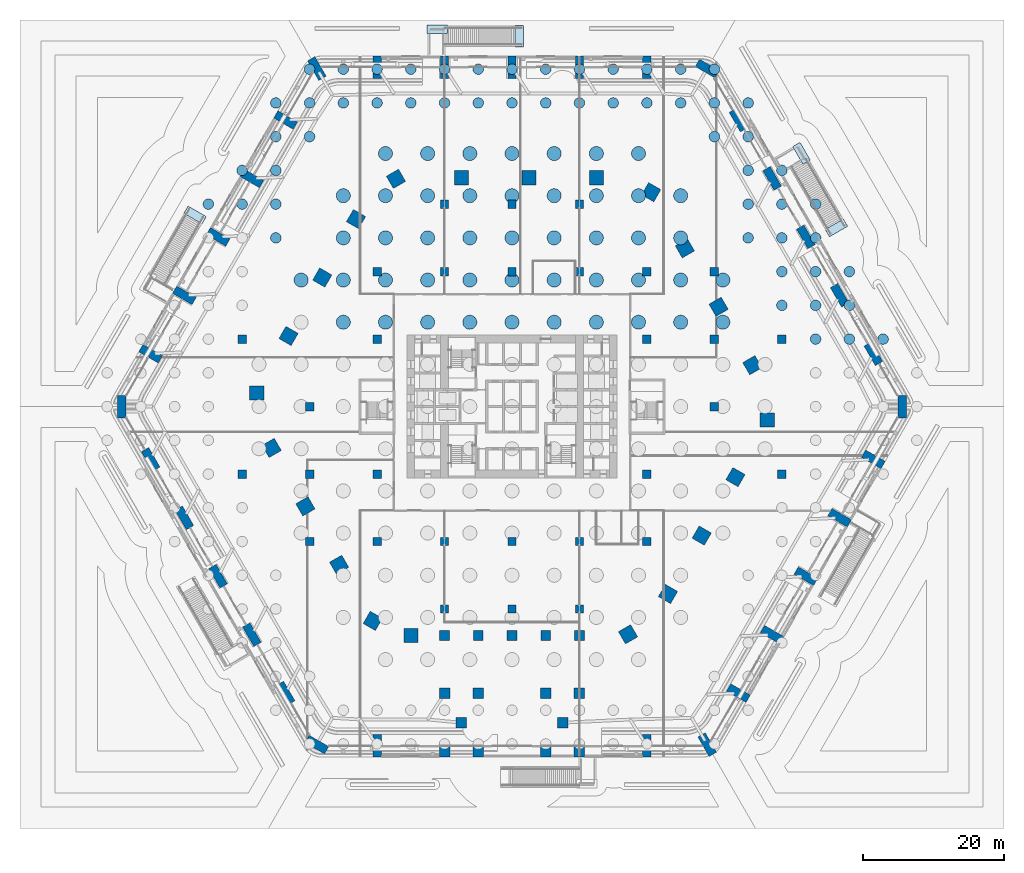
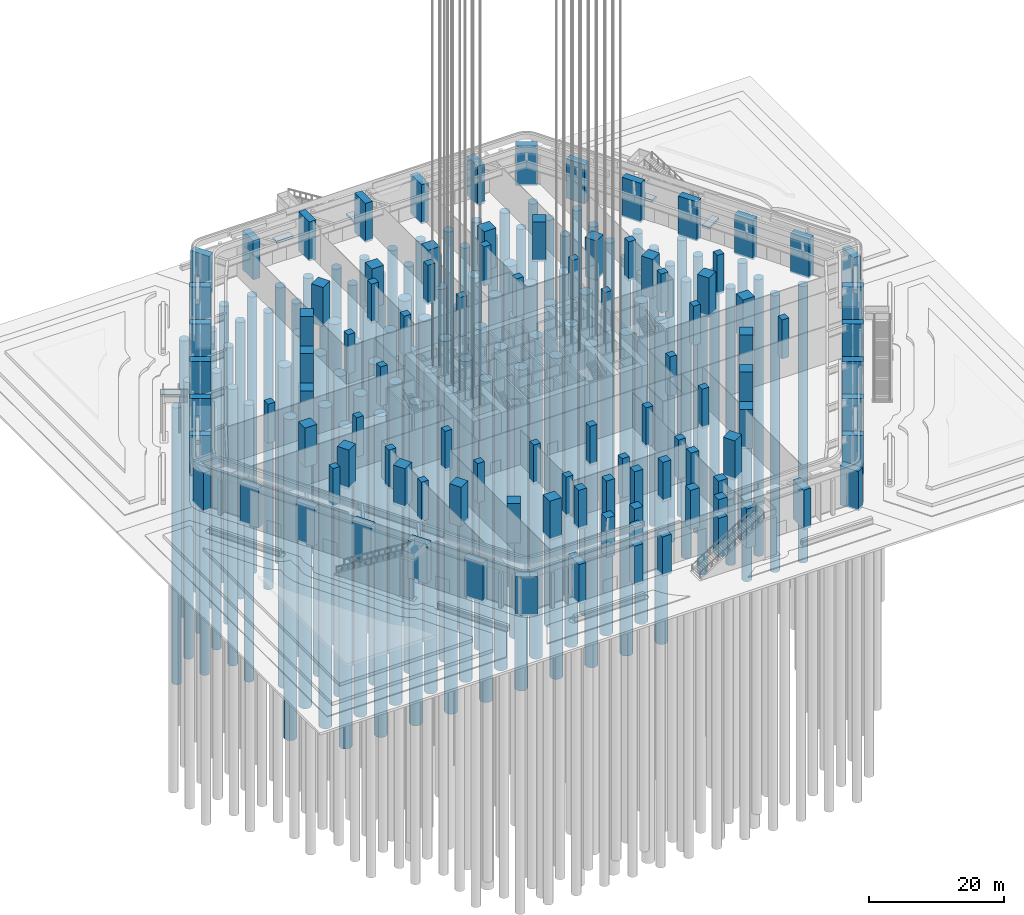
# One storey, part 2 of 68: 101 piles, 100 columns, 5 footings.
"""IFC4 building model written with IfcOpenShell, lengths in metres."""

from ifc_helpers import new_model, si_unit, direction, frame, origin, origin_2d, place, context, subcontext, project, spatial, polyline, rectangle, circle, outline, extrude, material, layer, layer_set, material_profile, profile_set, type_object, element, save


model = new_model("IFC4")

# Units and contexts
model_context = context("Model", 3, precision=1e-05, world=origin(), true_north=direction((0.0, 1.0)))
body_context = subcontext(model_context, "Body", "Model", "MODEL_VIEW")
ifc_project = project(units=[si_unit("LENGTHUNIT", "METRE"), si_unit("AREAUNIT", "SQUARE_METRE"), si_unit("VOLUMEUNIT", "CUBIC_METRE"), si_unit("PLANEANGLEUNIT", "RADIAN"), si_unit("MASSUNIT", "GRAM", prefix="KILO")], contexts=[model_context])

# Site, building, storey
site_placement = place(None, origin())
site = spatial("IfcSite", under=ifc_project, at=site_placement, CompositionType="ELEMENT")
building_placement = place(site_placement, origin())
building = spatial("IfcBuilding", under=site, at=building_placement, Name="Kolab Exchange Tower", CompositionType="ELEMENT")
storey_placement = place(building_placement, origin())
storey = spatial("IfcBuildingStorey", under=building, at=storey_placement, Name="L00", CompositionType="ELEMENT", Elevation=0.0)

# Piles
ifc_material_1 = material(Name="Concrete C35/45", Category="concrete")
ifc_material_profile_1 = material_profile(ifc_material_1, circle(Radius=0.75, at=origin_2d()), Name="BP1500")
ifc_profile_set_1 = profile_set([ifc_material_profile_1], Name="Concrete C35/45")
pile_type_1 = type_object("IfcPileType", Name="BORED PILE 1500", PredefinedType="BORED", material=ifc_profile_set_1)
for number, where, z_axis, x_axis, name in (
    (1, (-43.199951171875, 28.800048828125, -4.0), (0.0, 0.0, -1.0), (1.0, 0.0, 0.0), "pile/raft/P029"),
    (2, (-38.39990234375, 28.800048828125, -4.0), (0.0, 0.0, -1.0), (1.0, 0.0, 0.0), "pile/raft/P038"),
    (3, (-38.39990234375, 33.60009765625, -4.0), (0.0, 0.0, -1.0), (1.0, 0.0, 0.0), "pile/raft/P039"),
    (4, (-33.60009765625, 24.0, -4.0), (0.0, 0.0, -1.0), (1.0, 0.0, 0.0), "pile/raft/P045"),
    (5, (-33.60009765625, 28.800048828125, -4.0), (0.0, 0.0, -1.0), (1.0, 0.0, 0.0), "pile/raft/P046"),
    (6, (-33.60009765625, 33.60009765625, -4.0), (0.0, 0.0, -1.0), (1.0, 0.0, 0.0), "pile/raft/P047"),
    (7, (-33.60009765625, 38.39990234375, -4.0), (0.0, 0.0, -1.0), (1.0, 0.0, 0.0), "pile/raft/P048"),
    (8, (-33.60009765625, 43.199951171875, -4.0), (0.0, 0.0, -1.0), (1.0, 0.0, 0.0), "pile/raft/P049"),
    (9, (-28.800048828125, 38.39990234375, -4.0), (0.0, 0.0, -1.0), (1.0, 0.0, 0.0), "pile/raft/P053"),
    (10, (-28.800048828125, 43.199951171875, -4.0), (0.0, 0.0, -1.0), (1.0, 0.0, 0.0), "pile/raft/P054"),
    (11, (-28.800048828125, 48.0, -4.0), (0.0, 0.0, -1.0), (1.0, 0.0, 0.0), "pile/raft/P055"),
    (12, (-24.0, 43.199951171875, -4.0), (0.0, 0.0, -1.0), (1.0, 0.0, 0.0), "pile/raft/P058"),
    (13, (-24.0, 48.0, -4.0), (0.0, 0.0, -1.0), (1.0, 0.0, 0.0), "pile/raft/P059"),
    (14, (-19.199951171875, 43.199951171875, -4.0), (0.0, 0.0, -1.0), (1.0, 0.0, 0.0), "pile/raft/P062"),
    (15, (-19.199951171875, 48.0, -4.0), (0.0, 0.0, -1.0), (1.0, 0.0, 0.0), "pile/raft/P063"),
    (16, (-14.39990234375, 43.199951171875, -4.0), (0.0, 0.0, -1.0), (1.0, 0.0, 0.0), "pile/raft/P066"),
    (17, (-14.39990234375, 48.0, -4.0), (0.0, 0.0, -1.0), (1.0, 0.0, 0.0), "pile/raft/P067"),
    (18, (-9.60009765625, 43.199951171875, -4.0), (0.0, 0.0, -1.0), (1.0, 0.0, 0.0), "pile/raft/P070"),
    (19, (-9.60009765625, 48.0, -4.0), (0.0, 0.0, -1.0), (1.0, 0.0, 0.0), "pile/raft/P071"),
    (20, (-4.800048828125, 43.199951171875, -4.0), (0.0, 0.0, -1.0), (1.0, 0.0, 0.0), "pile/raft/P074"),
    (21, (-4.800048828125, 48.0, -4.0), (0.0, 0.0, -1.0), (1.0, 0.0, 0.0), "pile/raft/P075"),
    (22, (0.0, 43.199951171875, -4.0), (0.0, 0.0, -1.0), (1.0, 0.0, 0.0), "pile/raft/P078"),
    (23, (0.0, 48.0, -4.0), (0.0, 0.0, -1.0), (1.0, 0.0, 0.0), "pile/raft/P079"),
    (24, (4.800048828125, 43.199951171875, -4.0), (0.0, 0.0, -1.0), (1.0, 0.0, 0.0), "pile/raft/P082"),
    (25, (4.800048828125, 48.0, -4.0), (0.0, 0.0, -1.0), (1.0, 0.0, 0.0), "pile/raft/P083"),
    (26, (9.60009765625, 43.199951171875, -4.0), (0.0, 0.0, -1.0), (1.0, 0.0, 0.0), "pile/raft/P086"),
    (27, (9.60009765625, 48.0, -4.0), (0.0, 0.0, -1.0), (1.0, 0.0, 0.0), "pile/raft/P087"),
    (28, (14.39990234375, 43.199951171875, -4.0), (0.0, 0.0, -1.0), (1.0, 0.0, 0.0), "pile/raft/P090"),
    (29, (14.39990234375, 48.0, -4.0), (0.0, 0.0, -1.0), (1.0, 0.0, 0.0), "pile/raft/P091"),
    (30, (19.199951171875, 43.199951171875, -4.0), (0.0, 0.0, -1.0), (1.0, 0.0, 0.0), "pile/raft/P094"),
    (31, (19.199951171875, 48.0, -4.0), (0.0, 0.0, -1.0), (1.0, 0.0, 0.0), "pile/raft/P095"),
    (32, (24.0, 43.199951171875, -4.0), (0.0, 0.0, -1.0), (1.0, 0.0, 0.0), "pile/raft/P098"),
    (33, (24.0, 48.0, -4.0), (0.0, 0.0, -1.0), (1.0, 0.0, 0.0), "pile/raft/P099"),
    (34, (28.800048828125, 38.39990234375, -4.0), (0.0, 0.0, -1.0), (1.0, 0.0, 0.0), "pile/raft/P103"),
    (35, (28.800048828125, 43.199951171875, -4.0), (0.0, 0.0, -1.0), (1.0, 0.0, 0.0), "pile/raft/P104"),
    (36, (28.800048828125, 48.0, -4.0), (0.0, 0.0, -1.0), (1.0, 0.0, 0.0), "pile/raft/P105"),
    (37, (33.60009765625, 24.0, -4.0), (0.0, 0.0, -1.0), (1.0, 0.0, 0.0), "pile/raft/P111"),
    (38, (33.60009765625, 28.800048828125, -4.0), (0.0, 0.0, -1.0), (1.0, 0.0, 0.0), "pile/raft/P112"),
    (39, (33.60009765625, 33.60009765625, -4.0), (0.0, 0.0, -1.0), (1.0, 0.0, 0.0), "pile/raft/P113"),
    (40, (33.60009765625, 38.39990234375, -4.0), (0.0, 0.0, -1.0), (1.0, 0.0, 0.0), "pile/raft/P114"),
    (41, (33.60009765625, 43.199951171875, -4.0), (0.0, 0.0, -1.0), (1.0, 0.0, 0.0), "pile/raft/P115"),
    (42, (38.39990234375, 14.39990234375, -4.0), (0.0, 0.0, -1.0), (1.0, 0.0, 0.0), "pile/raft/P121"),
    (43, (38.39990234375, 19.199951171875, -4.0), (0.0, 0.0, -1.0), (1.0, 0.0, 0.0), "pile/raft/P122"),
    (44, (38.39990234375, 24.0, -4.0), (0.0, 0.0, -1.0), (1.0, 0.0, 0.0), "pile/raft/P123"),
    (45, (38.39990234375, 28.800048828125, -4.0), (0.0, 0.0, -1.0), (1.0, 0.0, 0.0), "pile/raft/P124"),
    (46, (38.39990234375, 33.60009765625, -4.0), (0.0, 0.0, -1.0), (1.0, 0.0, 0.0), "pile/raft/P125"),
    (47, (43.199951171875, 9.60009765625, -4.0), (0.0, 0.0, -1.0), (1.0, 0.0, 0.0), "pile/raft/P134"),
    (48, (43.199951171875, 14.39990234375, -4.0), (0.0, 0.0, -1.0), (1.0, 0.0, 0.0), "pile/raft/P135"),
    (49, (43.199951171875, 19.199951171875, -4.0), (0.0, 0.0, -1.0), (1.0, 0.0, 0.0), "pile/raft/P136"),
    (50, (43.199951171875, 24.0, -4.0), (0.0, 0.0, -1.0), (1.0, 0.0, 0.0), "pile/raft/P137"),
    (51, (43.199951171875, 28.800048828125, -4.0), (0.0, 0.0, -1.0), (1.0, 0.0, 0.0), "pile/raft/P138"),
    (52, (48.0, 9.60009765625, -4.0), (0.0, 0.0, -1.0), (1.0, 0.0, 0.0), "pile/raft/P145"),
    (53, (48.0, 14.39990234375, -4.0), (0.0, 0.0, -1.0), (1.0, 0.0, 0.0), "pile/raft/P146"),
    (54, (48.0, 19.199951171875, -4.0), (0.0, 0.0, -1.0), (1.0, 0.0, 0.0), "pile/raft/P147"),
    (55, (52.800048828125, 9.60009765625, -4.0), (0.0, 0.0, -1.0), (1.0, 0.0, 0.0), "pile/raft/P152"),
):
    element("IfcPile", number, at=place(storey_placement, frame(where, z_axis=z_axis, x_axis=x_axis)), inside=storey, type_object=pile_type_1, Name=name, PredefinedType="BORED", context=body_context, shape_type="SweptSolid", body=[
        extrude(circle(Radius=0.75, at=origin_2d()), origin(), (0.0, 0.0, 1.0), 50.0),
    ])
ifc_material_profile_2 = material_profile(ifc_material_1, circle(Radius=1.0, at=origin_2d()), Name="BP2000")
ifc_profile_set_2 = profile_set([ifc_material_profile_2], Name="Concrete C35/45")
pile_type_2 = type_object("IfcPileType", Name="BORED PILE 2000", PredefinedType="BORED", material=ifc_profile_set_2)
for number, where, z_axis, x_axis, name in (
    (56, (-30.0, 18.0, -4.0), (0.0, 0.0, -1.0), (1.0, 0.0, 0.0), "pile/raft/T009"),
    (57, (-24.0, 12.0, -4.0), (0.0, 0.0, -1.0), (1.0, 0.0, 0.0), "pile/raft/T017"),
    (58, (-24.0, 18.0, -4.0), (0.0, 0.0, -1.0), (1.0, 0.0, 0.0), "pile/raft/T018"),
    (59, (-24.0, 24.0, -4.0), (0.0, 0.0, -1.0), (1.0, 0.0, 0.0), "pile/raft/T019"),
    (60, (-24.0, 30.0, -4.0), (0.0, 0.0, -1.0), (1.0, 0.0, 0.0), "pile/raft/T020"),
    (61, (-18.0, 12.0, -4.0), (0.0, 0.0, -1.0), (1.0, 0.0, 0.0), "pile/raft/T029"),
    (62, (-18.0, 18.0, -4.0), (0.0, 0.0, -1.0), (1.0, 0.0, 0.0), "pile/raft/T030"),
    (63, (-18.0, 24.0, -4.0), (0.0, 0.0, -1.0), (1.0, 0.0, 0.0), "pile/raft/T031"),
    (64, (-18.0, 30.0, -4.0), (0.0, 0.0, -1.0), (1.0, 0.0, 0.0), "pile/raft/T032"),
    (65, (-18.0, 36.0, -4.0), (0.0, 0.0, -1.0), (1.0, 0.0, 0.0), "pile/raft/T033"),
    (66, (-12.0, 12.0, -4.0), (0.0, 0.0, -1.0), (1.0, 0.0, 0.0), "pile/raft/T042"),
    (67, (-12.0, 18.0, -4.0), (0.0, 0.0, -1.0), (1.0, 0.0, 0.0), "pile/raft/T043"),
    (68, (-12.0, 24.0, -4.0), (0.0, 0.0, -1.0), (1.0, 0.0, 0.0), "pile/raft/T044"),
    (69, (-12.0, 30.0, -4.0), (0.0, 0.0, -1.0), (1.0, 0.0, 0.0), "pile/raft/T045"),
    (70, (-12.0, 36.0, -4.0), (0.0, 0.0, -1.0), (1.0, 0.0, 0.0), "pile/raft/T046"),
    (71, (-6.0, 12.0, -4.0), (0.0, 0.0, -1.0), (1.0, 0.0, 0.0), "pile/raft/T055"),
    (72, (-6.0, 18.0, -4.0), (0.0, 0.0, -1.0), (1.0, 0.0, 0.0), "pile/raft/T056"),
    (73, (-6.0, 24.0, -4.0), (0.0, 0.0, -1.0), (1.0, 0.0, 0.0), "pile/raft/T057"),
    (74, (-6.0, 30.0, -4.0), (0.0, 0.0, -1.0), (1.0, 0.0, 0.0), "pile/raft/T058"),
    (75, (-6.0, 36.0, -4.0), (0.0, 0.0, -1.0), (1.0, 0.0, 0.0), "pile/raft/T059"),
    (76, (0.0, 12.0, -4.0), (0.0, 0.0, -1.0), (1.0, 0.0, 0.0), "pile/raft/T068"),
    (77, (0.0, 18.0, -4.0), (0.0, 0.0, -1.0), (1.0, 0.0, 0.0), "pile/raft/T069"),
    (78, (0.0, 24.0, -4.0), (0.0, 0.0, -1.0), (1.0, 0.0, 0.0), "pile/raft/T070"),
    (79, (0.0, 30.0, -4.0), (0.0, 0.0, -1.0), (1.0, 0.0, 0.0), "pile/raft/T071"),
    (80, (0.0, 36.0, -4.0), (0.0, 0.0, -1.0), (1.0, 0.0, 0.0), "pile/raft/T072"),
    (81, (6.0, 12.0, -4.0), (0.0, 0.0, -1.0), (1.0, 0.0, 0.0), "pile/raft/T081"),
    (82, (6.0, 18.0, -4.0), (0.0, 0.0, -1.0), (1.0, 0.0, 0.0), "pile/raft/T082"),
    (83, (6.0, 24.0, -4.0), (0.0, 0.0, -1.0), (1.0, 0.0, 0.0), "pile/raft/T083"),
    (84, (6.0, 30.0, -4.0), (0.0, 0.0, -1.0), (1.0, 0.0, 0.0), "pile/raft/T084"),
    (85, (6.0, 36.0, -4.0), (0.0, 0.0, -1.0), (1.0, 0.0, 0.0), "pile/raft/T085"),
    (86, (12.0, 12.0, -4.0), (0.0, 0.0, -1.0), (1.0, 0.0, 0.0), "pile/raft/T094"),
    (87, (12.0, 18.0, -4.0), (0.0, 0.0, -1.0), (1.0, 0.0, 0.0), "pile/raft/T095"),
    (88, (12.0, 24.0, -4.0), (0.0, 0.0, -1.0), (1.0, 0.0, 0.0), "pile/raft/T096"),
    (89, (12.0, 30.0, -4.0), (0.0, 0.0, -1.0), (1.0, 0.0, 0.0), "pile/raft/T097"),
    (90, (12.0, 36.0, -4.0), (0.0, 0.0, -1.0), (1.0, 0.0, 0.0), "pile/raft/T098"),
    (91, (18.0, 12.0, -4.0), (0.0, 0.0, -1.0), (1.0, 0.0, 0.0), "pile/raft/T107"),
    (92, (18.0, 18.0, -4.0), (0.0, 0.0, -1.0), (1.0, 0.0, 0.0), "pile/raft/T108"),
    (93, (18.0, 24.0, -4.0), (0.0, 0.0, -1.0), (1.0, 0.0, 0.0), "pile/raft/T109"),
    (94, (18.0, 30.0, -4.0), (0.0, 0.0, -1.0), (1.0, 0.0, 0.0), "pile/raft/T110"),
    (95, (18.0, 36.0, -4.0), (0.0, 0.0, -1.0), (1.0, 0.0, 0.0), "pile/raft/T111"),
    (96, (24.0, 12.0, -4.0), (0.0, 0.0, -1.0), (1.0, 0.0, 0.0), "pile/raft/T119"),
    (97, (24.0, 18.0, -4.0), (0.0, 0.0, -1.0), (1.0, 0.0, 0.0), "pile/raft/T120"),
    (98, (24.0, 24.0, -4.0), (0.0, 0.0, -1.0), (1.0, 0.0, 0.0), "pile/raft/T121"),
    (99, (24.0, 30.0, -4.0), (0.0, 0.0, -1.0), (1.0, 0.0, 0.0), "pile/raft/T122"),
    (100, (30.0, 12.0, -4.0), (0.0, 0.0, -1.0), (1.0, 0.0, 0.0), "pile/raft/T128"),
    (101, (30.0, 18.0, -4.0), (0.0, 0.0, -1.0), (1.0, 0.0, 0.0), "pile/raft/T129"),
):
    element("IfcPile", number, at=place(storey_placement, frame(where, z_axis=z_axis, x_axis=x_axis)), inside=storey, type_object=pile_type_2, Name=name, PredefinedType="BORED", context=body_context, shape_type="SweptSolid", body=[
        extrude(circle(Radius=1.0, at=origin_2d()), origin(), (0.0, 0.0, 1.0), 58.0),
    ])

# Footings
ifc_layer = layer(ifc_material_1, 0.39990234375)
ifc_layer_set = layer_set([ifc_layer], Name="Concrete C35/45")
footing_type = type_object("IfcFootingType", Name="STAIR PIER PAD FOOTING 400", PredefinedType="PAD_FOOTING", material=ifc_layer_set)
footing_1_placement = place(storey_placement, frame((0.0, 0.0, -0.39990234375)))
element("IfcFooting", 102, at=footing_1_placement, inside=storey, type_object=footing_type, Name="footing/pad/GS1-C", PredefinedType="PAD_FOOTING", context=body_context, shape_type="SweptSolid", body=[
    extrude(outline(polyline([(-12.06005859375, 54.282958984375), (-12.06005859375, 53.0830078125), (-9.159912109375, 53.0830078125), (-9.159912109375, 54.282958984375), (-12.06005859375, 54.282958984375)])), origin(), (0.0, 0.0, 1.0), 0.39990234375),
])
footing_2_placement = place(storey_placement, frame((0.0, 0.0, -0.39990234375)))
element("IfcFooting", 103, at=footing_2_placement, inside=storey, type_object=footing_type, Name="footing/pad/GS1-C-foot", PredefinedType="PAD_FOOTING", context=body_context, shape_type="SweptSolid", body=[
    extrude(outline(polyline([(0.4599609375, 51.18310546875), (1.659912109375, 51.18310546875), (1.659912109375, 54.18310546875), (0.4599609375, 54.18310546875), (0.4599609375, 51.18310546875)])), origin(), (0.0, 0.0, 1.0), 0.39990234375),
])
footing_3_placement = place(storey_placement, frame((0.0, 0.0, -0.39990234375)))
element("IfcFooting", 104, at=footing_3_placement, inside=storey, type_object=footing_type, Name="footing/pad/GS2-C", PredefinedType="PAD_FOOTING", context=body_context, shape_type="SweptSolid", body=[
    extrude(outline(polyline([(40.98046875, 37.585693359375), (39.941162109375, 36.98583984375), (41.391357421875, 34.474365234375), (42.430419921875, 35.07421875), (40.98046875, 37.585693359375)])), origin(), (0.0, 0.0, 1.0), 0.39990234375),
])
footing_4_placement = place(storey_placement, frame((0.0, 0.0, -0.39990234375)))
element("IfcFooting", 105, at=footing_4_placement, inside=storey, type_object=footing_type, Name="footing/pad/GS2-C-foot", PredefinedType="PAD_FOOTING", context=body_context, shape_type="SweptSolid", body=[
    extrude(outline(polyline([(44.555908203125, 25.193115234375), (45.15576171875, 24.15380859375), (47.75390625, 25.65380859375), (47.15380859375, 26.693115234375), (44.555908203125, 25.193115234375)])), origin(), (0.0, 0.0, 1.0), 0.39990234375),
])
footing_5_placement = place(storey_placement, frame((0.0, 0.0, -0.39990234375)))
element("IfcFooting", 106, at=footing_5_placement, inside=storey, type_object=footing_type, Name="footing/pad/GS6-C-foot", PredefinedType="PAD_FOOTING", context=body_context, shape_type="SweptSolid", body=[
    extrude(outline(polyline([(-44.095947265625, 25.989990234375), (-43.495849609375, 27.029052734375), (-46.093994140625, 28.529052734375), (-46.69384765625, 27.489990234375), (-44.095947265625, 25.989990234375)])), origin(), (0.0, 0.0, 1.0), 0.39990234375),
])

# Columns
ifc_material_2 = material(Name="Concrete C80/95", Category="concrete")
ifc_material_profile_3 = material_profile(ifc_material_2, rectangle(XDim=1.199951171875, YDim=1.199951171875, at=origin_2d()), Name="RC1200")
ifc_profile_set_3 = profile_set([ifc_material_profile_3], Name="Concrete C80/95")
column_type_1 = type_object("IfcColumnType", Name="INTERIOR COLUMN 1200 SQ C80/95", PredefinedType="COLUMN", material=ifc_profile_set_3)
for number, where, z_axis, x_axis, name in (
    (107, (-38.39990234375, -9.60009765625, -0.39990234375), (0.0, 0.0, 1.0), (1.0, 0.0, 0.0), "col/L00/I-E9"),
    (108, (-38.39990234375, 9.60009765625, -0.39990234375), (0.0, 0.0, 1.0), (1.0, 0.0, 0.0), "col/L00/I-E13"),
    (109, (-28.800048828125, -19.199951171875, -0.39990234375), (0.0, 0.0, 1.0), (1.0, 0.0, 0.0), "col/L00/I-G7"),
    (110, (-28.800048828125, -9.60009765625, -0.39990234375), (0.0, 0.0, 1.0), (1.0, 0.0, 0.0), "col/L00/I-G9"),
    (111, (-28.800048828125, 0.0, -0.39990234375), (0.0, 0.0, 1.0), (1.0, 0.0, 0.0), "col/L00/I-G11"),
    (112, (-19.199951171875, -19.199951171875, -0.39990234375), (0.0, 0.0, 1.0), (1.0, 0.0, 0.0), "col/L00/I-I7"),
    (113, (-19.199951171875, -9.60009765625, -0.39990234375), (0.0, 0.0, 1.0), (1.0, 0.0, 0.0), "col/L00/I-I9"),
    (114, (-19.199951171875, 9.60009765625, -0.39990234375), (0.0, 0.0, 1.0), (1.0, 0.0, 0.0), "col/L00/I-I13"),
    (115, (-19.199951171875, 19.199951171875, -0.39990234375), (0.0, 0.0, 1.0), (1.0, 0.0, 0.0), "col/L00/I-I15"),
    (116, (-9.60009765625, -28.800048828125, -0.39990234375), (0.0, 0.0, 1.0), (1.0, 0.0, 0.0), "col/L00/I-K5"),
    (117, (-9.60009765625, -19.199951171875, -0.39990234375), (0.0, 0.0, 1.0), (1.0, 0.0, 0.0), "col/L00/I-K7"),
    (118, (-9.60009765625, 19.199951171875, -0.39990234375), (0.0, 0.0, 1.0), (1.0, 0.0, 0.0), "col/L00/I-K15"),
    (119, (-9.60009765625, 28.800048828125, -0.39990234375), (0.0, 0.0, 1.0), (1.0, 0.0, 0.0), "col/L00/I-K17"),
    (120, (0.0, -28.800048828125, -0.39990234375), (0.0, 0.0, 1.0), (1.0, 0.0, 0.0), "col/L00/I-M5"),
    (121, (0.0, -19.199951171875, -0.39990234375), (0.0, 0.0, 1.0), (1.0, 0.0, 0.0), "col/L00/I-M7"),
    (122, (0.0, 19.199951171875, -0.39990234375), (0.0, 0.0, 1.0), (1.0, 0.0, 0.0), "col/L00/I-M15"),
    (123, (0.0, 28.800048828125, -0.39990234375), (0.0, 0.0, 1.0), (1.0, 0.0, 0.0), "col/L00/I-M17"),
    (124, (9.60009765625, -28.800048828125, -0.39990234375), (0.0, 0.0, 1.0), (1.0, 0.0, 0.0), "col/L00/I-O5"),
    (125, (9.60009765625, -19.199951171875, -0.39990234375), (0.0, 0.0, 1.0), (1.0, 0.0, 0.0), "col/L00/I-O7"),
    (126, (9.60009765625, 19.199951171875, -0.39990234375), (0.0, 0.0, 1.0), (1.0, 0.0, 0.0), "col/L00/I-O15"),
    (127, (9.60009765625, 28.800048828125, -0.39990234375), (0.0, 0.0, 1.0), (1.0, 0.0, 0.0), "col/L00/I-O17"),
    (128, (19.199951171875, -19.199951171875, -0.39990234375), (0.0, 0.0, 1.0), (1.0, 0.0, 0.0), "col/L00/I-Q7"),
    (129, (19.199951171875, -9.60009765625, -0.39990234375), (0.0, 0.0, 1.0), (1.0, 0.0, 0.0), "col/L00/I-Q9"),
    (130, (19.199951171875, 9.60009765625, -0.39990234375), (0.0, 0.0, 1.0), (1.0, 0.0, 0.0), "col/L00/I-Q13"),
    (131, (19.199951171875, 19.199951171875, -0.39990234375), (0.0, 0.0, 1.0), (1.0, 0.0, 0.0), "col/L00/I-Q15"),
    (132, (28.800048828125, 0.0, -0.39990234375), (0.0, 0.0, 1.0), (1.0, 0.0, 0.0), "col/L00/I-S11"),
    (133, (28.800048828125, 9.60009765625, -0.39990234375), (0.0, 0.0, 1.0), (1.0, 0.0, 0.0), "col/L00/I-S13"),
    (134, (28.800048828125, 19.199951171875, -0.39990234375), (0.0, 0.0, 1.0), (1.0, 0.0, 0.0), "col/L00/I-S15"),
    (135, (38.39990234375, -9.60009765625, -0.39990234375), (0.0, 0.0, 1.0), (1.0, 0.0, 0.0), "col/L00/I-U9"),
    (136, (38.39990234375, 9.60009765625, -0.39990234375), (0.0, 0.0, 1.0), (1.0, 0.0, 0.0), "col/L00/I-U13"),
):
    element("IfcColumn", number, at=place(storey_placement, frame(where, z_axis=z_axis, x_axis=x_axis)), inside=storey, type_object=column_type_1, Name=name, PredefinedType="COLUMN", context=body_context, shape_type="SweptSolid", body=[
        extrude(rectangle(XDim=1.199951171875, YDim=1.199951171875, at=origin_2d()), origin(), (0.0, 0.0, 1.0), 7.099853515625),
    ])
ifc_material_profile_4 = material_profile(ifc_material_2, rectangle(XDim=1.199951171875, YDim=3.199951171875, at=origin_2d()), Name="RC1200X3200")
ifc_profile_set_4 = profile_set([ifc_material_profile_4], Name="Concrete C80/95")
column_type_2 = type_object("IfcColumnType", Name="PERIMETER COLUMN 1200X3200 C80/95", PredefinedType="COLUMN", material=ifc_profile_set_4)
for number, where, z_axis, x_axis, name in (
    (137, (-27.76806640625, 48.095458984375, -0.39990234375), (0.0, 0.0, 1.0), (0.866025403784, 0.5, 0.0), "col/L00/F1-01"),
    (138, (-19.199951171875, 48.282958984375, -0.39990234375), (0.0, 0.0, 1.0), (1.0, 0.0, 0.0), "col/L00/F1-03"),
    (139, (-9.60009765625, 48.282958984375, -0.39990234375), (0.0, 0.0, 1.0), (1.0, 0.0, 0.0), "col/L00/F1-05"),
    (140, (0.0, 48.282958984375, -0.39990234375), (0.0, 0.0, 1.0), (1.0, 0.0, 0.0), "col/L00/F1-07"),
    (141, (9.60009765625, 48.282958984375, -0.39990234375), (0.0, 0.0, 1.0), (1.0, 0.0, 0.0), "col/L00/F1-09"),
    (142, (19.199951171875, 48.282958984375, -0.39990234375), (0.0, 0.0, 1.0), (1.0, 0.0, 0.0), "col/L00/F1-11"),
    (143, (27.76806640625, 48.095458984375, -0.39990234375), (0.0, 0.0, 1.0), (0.5, 0.866025403784, 0.0), "col/L00/F2-01"),
    (144, (32.21435546875, 40.769287109375, -0.39990234375), (0.0, 0.0, 1.0), (0.866025403784, 0.5, 0.0), "col/L00/F2-03"),
    (145, (37.014404296875, 32.455322265625, -0.39990234375), (0.0, 0.0, 1.0), (0.866025403784, 0.5, 0.0), "col/L00/F2-05"),
    (146, (41.814453125, 24.1416015625, -0.39990234375), (0.0, 0.0, 1.0), (0.866025403784, 0.5, 0.0), "col/L00/F2-07"),
    (147, (46.6142578125, 15.82763671875, -0.39990234375), (0.0, 0.0, 1.0), (0.866025403784, 0.5, 0.0), "col/L00/F2-09"),
    (148, (51.414306640625, 7.513916015625, -0.39990234375), (0.0, 0.0, 1.0), (0.866025403784, 0.5, 0.0), "col/L00/F2-11"),
    (149, (55.535888671875, 0.0, -0.39990234375), (0.0, 0.0, 1.0), (1.0, 0.0, 0.0), "col/L00/F3-01"),
    (150, (51.414306640625, -7.513916015625, -0.39990234375), (0.0, 0.0, 1.0), (0.5, 0.866025403784, 0.0), "col/L00/F3-03"),
    (151, (46.6142578125, -15.82763671875, -0.39990234375), (0.0, 0.0, 1.0), (0.5, 0.866025403784, 0.0), "col/L00/F3-05"),
    (152, (41.814453125, -24.1416015625, -0.39990234375), (0.0, 0.0, 1.0), (0.5, 0.866025403784, 0.0), "col/L00/F3-07"),
    (153, (37.014404296875, -32.455322265625, -0.39990234375), (0.0, 0.0, 1.0), (0.5, 0.866025403784, 0.0), "col/L00/F3-09"),
    (154, (32.21435546875, -40.769287109375, -0.39990234375), (0.0, 0.0, 1.0), (0.5, 0.866025403784, 0.0), "col/L00/F3-11"),
    (155, (27.76806640625, -48.095458984375, -0.39990234375), (0.0, 0.0, 1.0), (0.866025403784, 0.5, 0.0), "col/L00/F4-01"),
    (156, (19.199951171875, -48.282958984375, -0.39990234375), (0.0, 0.0, 1.0), (1.0, 0.0, 0.0), "col/L00/F4-03"),
    (157, (-19.199951171875, -48.282958984375, -0.39990234375), (0.0, 0.0, 1.0), (1.0, 0.0, 0.0), "col/L00/F4-11"),
    (158, (-27.76806640625, -48.095458984375, -0.39990234375), (0.0, 0.0, 1.0), (0.5, 0.866025403784, 0.0), "col/L00/F5-01"),
    (159, (-32.21435546875, -40.769287109375, -0.39990234375), (0.0, 0.0, 1.0), (0.866025403784, 0.5, 0.0), "col/L00/F5-03"),
    (160, (-37.014404296875, -32.455322265625, -0.39990234375), (0.0, 0.0, 1.0), (0.866025403784, 0.5, 0.0), "col/L00/F5-05"),
    (161, (-41.814453125, -24.1416015625, -0.39990234375), (0.0, 0.0, 1.0), (0.866025403784, 0.5, 0.0), "col/L00/F5-07"),
    (162, (-46.6142578125, -15.82763671875, -0.39990234375), (0.0, 0.0, 1.0), (0.866025403784, 0.5, 0.0), "col/L00/F5-09"),
    (163, (-51.414306640625, -7.513916015625, -0.39990234375), (0.0, 0.0, 1.0), (0.866025403784, 0.5, 0.0), "col/L00/F5-11"),
    (164, (-55.535888671875, 0.0, -0.39990234375), (0.0, 0.0, 1.0), (1.0, 0.0, 0.0), "col/L00/F6-01"),
    (165, (-51.414306640625, 7.513916015625, -0.39990234375), (0.0, 0.0, 1.0), (0.5, 0.866025403784, 0.0), "col/L00/F6-03"),
    (166, (-46.6142578125, 15.82763671875, -0.39990234375), (0.0, 0.0, 1.0), (0.5, 0.866025403784, 0.0), "col/L00/F6-05"),
    (167, (-41.814453125, 24.1416015625, -0.39990234375), (0.0, 0.0, 1.0), (0.5, 0.866025403784, 0.0), "col/L00/F6-07"),
    (168, (-37.014404296875, 32.455322265625, -0.39990234375), (0.0, 0.0, 1.0), (0.5, 0.866025403784, 0.0), "col/L00/F6-09"),
    (169, (-32.21435546875, 40.769287109375, -0.39990234375), (0.0, 0.0, 1.0), (0.5, 0.866025403784, 0.0), "col/L00/F6-11"),
):
    element("IfcColumn", number, at=place(storey_placement, frame(where, z_axis=z_axis, x_axis=x_axis)), inside=storey, type_object=column_type_2, Name=name, PredefinedType="COLUMN", context=body_context, shape_type="SweptSolid", body=[
        extrude(rectangle(XDim=1.199951171875, YDim=3.199951171875, at=origin_2d()), origin(), (0.0, 0.0, 1.0), 7.099853515625),
    ])
ifc_material_profile_5 = material_profile(ifc_material_2, rectangle(XDim=1.39990234375, YDim=1.39990234375, at=origin_2d()), Name="RC1400")
ifc_profile_set_5 = profile_set([ifc_material_profile_5], Name="Concrete C80/95")
column_type_3 = type_object("IfcColumnType", Name="PERIMETER COLUMN 1400 SQ C80/95", PredefinedType="COLUMN", material=ifc_profile_set_5)
for number, where, z_axis, x_axis, name in (
    (170, (9.60009765625, -32.555419921875, -0.39990234375), (0.0, 0.0, 1.0), (1.0, 0.0, 0.0), "col/L00/T-F4-03"),
    (171, (4.800048828125, -32.555419921875, -0.39990234375), (0.0, 0.0, 1.0), (1.0, 0.0, 0.0), "col/L00/T-F4-04"),
    (172, (0.0, -32.555419921875, -0.39990234375), (0.0, 0.0, 1.0), (1.0, 0.0, 0.0), "col/L00/T-F4-05"),
    (173, (-4.800048828125, -32.555419921875, -0.39990234375), (0.0, 0.0, 1.0), (1.0, 0.0, 0.0), "col/L00/T-F4-06"),
    (174, (-9.60009765625, -32.555419921875, -0.39990234375), (0.0, 0.0, 1.0), (1.0, 0.0, 0.0), "col/L00/T-F4-07"),
):
    element("IfcColumn", number, at=place(storey_placement, frame(where, z_axis=z_axis, x_axis=x_axis)), inside=storey, type_object=column_type_3, Name=name, PredefinedType="COLUMN", context=body_context, shape_type="SweptSolid", body=[
        extrude(rectangle(XDim=1.39990234375, YDim=1.39990234375, at=origin_2d()), origin(), (0.0, 0.0, 1.0), 7.099853515625),
    ])
ifc_material_profile_6 = material_profile(ifc_material_2, rectangle(XDim=1.5, YDim=1.5, at=origin_2d()), Name="RC1500")
ifc_profile_set_6 = profile_set([ifc_material_profile_6], Name="Concrete C80/95")
column_type_4 = type_object("IfcColumnType", Name="PERIMETER COLUMN 1500 SQ C80/95", PredefinedType="COLUMN", material=ifc_profile_set_6)
for number, where, z_axis, x_axis, name in (
    (175, (9.60009765625, -49.133056640625, -0.39990234375), (0.0, 0.0, 1.0), (1.0, 0.0, 0.0), "col/L00/F4-05"),
    (176, (4.800048828125, -49.133056640625, -0.39990234375), (0.0, 0.0, 1.0), (1.0, 0.0, 0.0), "col/L00/F4-06"),
    (177, (-4.800048828125, -49.133056640625, -0.39990234375), (0.0, 0.0, 1.0), (1.0, 0.0, 0.0), "col/L00/F4-08"),
    (178, (-9.60009765625, -49.133056640625, -0.39990234375), (0.0, 0.0, 1.0), (1.0, 0.0, 0.0), "col/L00/F4-09"),
    (179, (7.199951171875, -44.97607421875, -0.39990234375), (0.0, 0.0, 1.0), (1.0, 0.0, 0.0), "col/L00/P1-F4-05"),
    (180, (-7.199951171875, -44.97607421875, -0.39990234375), (0.0, 0.0, 1.0), (1.0, 0.0, 0.0), "col/L00/P1-F4-08"),
    (181, (9.60009765625, -40.8193359375, -0.39990234375), (0.0, 0.0, 1.0), (1.0, 0.0, 0.0), "col/L00/P2-F4-04"),
    (182, (4.800048828125, -40.8193359375, -0.39990234375), (0.0, 0.0, 1.0), (1.0, 0.0, 0.0), "col/L00/P2-F4-05"),
    (183, (-4.800048828125, -40.8193359375, -0.39990234375), (0.0, 0.0, 1.0), (1.0, 0.0, 0.0), "col/L00/P2-F4-07"),
    (184, (-9.60009765625, -40.8193359375, -0.39990234375), (0.0, 0.0, 1.0), (1.0, 0.0, 0.0), "col/L00/P2-F4-08"),
):
    element("IfcColumn", number, at=place(storey_placement, frame(where, z_axis=z_axis, x_axis=x_axis)), inside=storey, type_object=column_type_4, Name=name, PredefinedType="COLUMN", context=body_context, shape_type="SweptSolid", body=[
        extrude(rectangle(XDim=1.5, YDim=1.5, at=origin_2d()), origin(), (0.0, 0.0, 1.0), 7.099853515625),
    ])
ifc_material_profile_7 = material_profile(ifc_material_2, rectangle(XDim=2.0, YDim=2.0, at=origin_2d()), Name="RC2000")
ifc_profile_set_7 = profile_set([ifc_material_profile_7], Name="Concrete C80/95")
column_type_5 = type_object("IfcColumnType", Name="TRANSFER-LEVEL COLUMN 2000 SQ C80/95", PredefinedType="COLUMN", material=ifc_profile_set_7)
for number, where, z_axis, x_axis, name in (
    (185, (-14.39990234375, -32.555419921875, -0.39990234375), (0.0, 0.0, 1.0), (1.0, 0.0, 0.0), "col/L00/T-F4-08"),
    (186, (-19.805908203125, -30.497802734375, -0.39990234375), (0.0, 0.0, 1.0), (0.5, 0.866025403784, 0.0), "col/L00/T-F5-01"),
    (187, (-24.59375, -22.51318359375, -0.39990234375), (0.0, 0.0, 1.0), (0.866025403784, 0.5, 0.0), "col/L00/T-F5-03"),
    (188, (-29.393798828125, -14.19921875, -0.39990234375), (0.0, 0.0, 1.0), (0.866025403784, 0.5, 0.0), "col/L00/T-F5-05"),
    (189, (-34.19384765625, -5.885498046875, -0.39990234375), (0.0, 0.0, 1.0), (0.866025403784, 0.5, 0.0), "col/L00/T-F5-07"),
    (190, (-36.31494140625, 1.903564453125, -0.39990234375), (0.0, 0.0, 1.0), (1.0, 0.0, 0.0), "col/L00/T-F6-01"),
    (191, (-31.793701171875, 10.042236328125, -0.39990234375), (0.0, 0.0, 1.0), (0.5, 0.866025403784, 0.0), "col/L00/T-F6-03"),
    (192, (-26.993896484375, 18.356201171875, -0.39990234375), (0.0, 0.0, 1.0), (0.5, 0.866025403784, 0.0), "col/L00/T-F6-05"),
    (193, (-22.19384765625, 26.669921875, -0.39990234375), (0.0, 0.0, 1.0), (0.5, 0.866025403784, 0.0), "col/L00/T-F6-07"),
    (194, (-16.509033203125, 32.4013671875, -0.39990234375), (0.0, 0.0, 1.0), (0.866025403784, 0.5, 0.0), "col/L00/T-F1-01"),
    (195, (-7.199951171875, 32.555419921875, -0.39990234375), (0.0, 0.0, 1.0), (1.0, 0.0, 0.0), "col/L00/T-F1-03"),
    (196, (2.39990234375, 32.555419921875, -0.39990234375), (0.0, 0.0, 1.0), (1.0, 0.0, 0.0), "col/L00/T-F1-05"),
    (197, (12.0, 32.555419921875, -0.39990234375), (0.0, 0.0, 1.0), (1.0, 0.0, 0.0), "col/L00/T-F1-07"),
    (198, (19.805908203125, 30.497802734375, -0.39990234375), (0.0, 0.0, 1.0), (0.5, 0.866025403784, 0.0), "col/L00/T-F2-01"),
    (199, (24.59375, 22.51318359375, -0.39990234375), (0.0, 0.0, 1.0), (0.866025403784, 0.5, 0.0), "col/L00/T-F2-03"),
    (200, (29.393798828125, 14.19921875, -0.39990234375), (0.0, 0.0, 1.0), (0.866025403784, 0.5, 0.0), "col/L00/T-F2-05"),
    (201, (34.19384765625, 5.885498046875, -0.39990234375), (0.0, 0.0, 1.0), (0.866025403784, 0.5, 0.0), "col/L00/T-F2-07"),
    (202, (36.31494140625, -1.903564453125, -0.39990234375), (0.0, 0.0, 1.0), (1.0, 0.0, 0.0), "col/L00/T-F3-01"),
    (203, (31.793701171875, -10.042236328125, -0.39990234375), (0.0, 0.0, 1.0), (0.5, 0.866025403784, 0.0), "col/L00/T-F3-03"),
    (204, (26.993896484375, -18.356201171875, -0.39990234375), (0.0, 0.0, 1.0), (0.5, 0.866025403784, 0.0), "col/L00/T-F3-05"),
    (205, (22.19384765625, -26.669921875, -0.39990234375), (0.0, 0.0, 1.0), (0.5, 0.866025403784, 0.0), "col/L00/T-F3-07"),
    (206, (16.509033203125, -32.4013671875, -0.39990234375), (0.0, 0.0, 1.0), (0.866025403784, 0.5, 0.0), "col/L00/T-F4-01"),
):
    element("IfcColumn", number, at=place(storey_placement, frame(where, z_axis=z_axis, x_axis=x_axis)), inside=storey, type_object=column_type_5, Name=name, PredefinedType="COLUMN", context=body_context, shape_type="SweptSolid", body=[
        extrude(rectangle(XDim=2.0, YDim=2.0, at=origin_2d()), origin(), (0.0, 0.0, 1.0), 7.099853515625),
    ])

save(model, "model.ifc")
